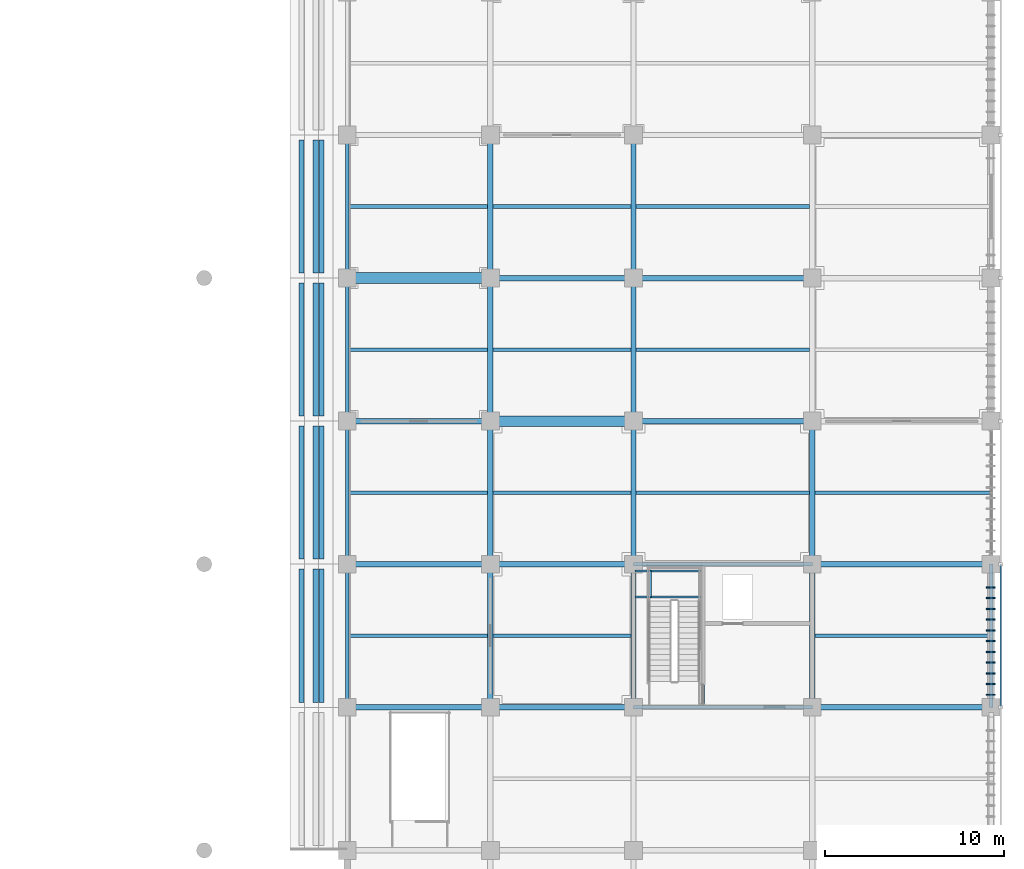
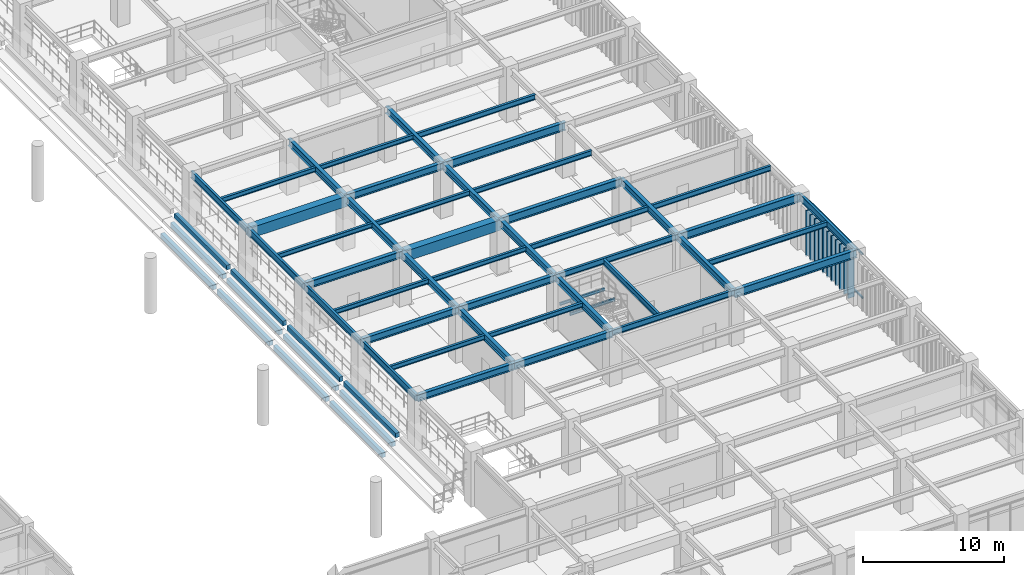
# One storey, part 37 of 117: 58 beams, 13 members.
"""IFC4 building model written with IfcOpenShell, lengths in metres."""

from ifc_helpers import new_model, si_unit, direction, frame, origin, origin_2d, place, context, subcontext, project, spatial, rectangle, hollow_rectangle, i_section, extrude, material, material_profile, profile_set, type_object, element, save


model = new_model("IFC4")

# Units and contexts
model_context = context("Model", 3, precision=1e-05, world=origin(), true_north=direction((0.0, 1.0)))
body_context = subcontext(model_context, "Body", "Model", "MODEL_VIEW")
ifc_project = project(units=[si_unit("LENGTHUNIT", "METRE"), si_unit("AREAUNIT", "SQUARE_METRE"), si_unit("VOLUMEUNIT", "CUBIC_METRE"), si_unit("PLANEANGLEUNIT", "RADIAN"), si_unit("MASSUNIT", "GRAM", prefix="KILO")], contexts=[model_context])

# Site, building, storey
site_placement = place(None, origin())
site = spatial("IfcSite", under=ifc_project, at=site_placement, CompositionType="ELEMENT")
building_placement = place(site_placement, origin())
building = spatial("IfcBuilding", under=site, at=building_placement, Name="Haebicheon Civic Stadium", CompositionType="ELEMENT")
storey_placement = place(building_placement, frame((0.0, 0.0, 4.800048828125)))
storey = spatial("IfcBuildingStorey", under=building, at=storey_placement, Name="L02", CompositionType="ELEMENT", Elevation=4.800048828125)

# Beams
ifc_material_1 = material(Name="Precast concrete C40/50", Category="concrete")
ifc_material_profile_1 = material_profile(ifc_material_1, rectangle(XDim=0.300048828125, YDim=0.39990234375, at=origin_2d()), Name="PC-LN-300x400")
ifc_profile_set_1 = profile_set([ifc_material_profile_1], Name="Precast concrete C40/50")
beam_type_1 = type_object("IfcBeamType", Name="BM-LN-300x400", PredefinedType="LINTEL", material=ifc_profile_set_1)
for number, where, z_axis, x_axis, name in (
    (1, (197.43994140625, 64.280029296875, -0.0400390625), (0.0, 1.0, 0.0), (-1.0, 0.0, 0.0), "TIER-C-L precast step carrier beam 2.7"),
    (2, (198.239990234375, 64.280029296875, 0.626953125), (0.0, 1.0, 0.0), (-1.0, 0.0, 0.0), "TIER-C-L precast step carrier beam 2.8"),
    (3, (198.56005859375, 64.280029296875, 1.29296875), (0.0, 1.0, 0.0), (-1.0, 0.0, 0.0), "TIER-C-L precast step carrier beam 2.9"),
    (4, (197.43994140625, 72.280029296875, -0.0400390625), (0.0, 1.0, 0.0), (-1.0, 0.0, 0.0), "TIER-C-L precast step carrier beam 3.7"),
    (5, (198.239990234375, 72.280029296875, 0.626953125), (0.0, 1.0, 0.0), (-1.0, 0.0, 0.0), "TIER-C-L precast step carrier beam 3.8"),
    (6, (198.56005859375, 72.280029296875, 1.29296875), (0.0, 1.0, 0.0), (-1.0, 0.0, 0.0), "TIER-C-L precast step carrier beam 3.9"),
    (7, (197.43994140625, 80.280029296875, -0.0400390625), (0.0, 1.0, 0.0), (-1.0, 0.0, 0.0), "TIER-C-L precast step carrier beam 4.7"),
    (8, (198.239990234375, 80.280029296875, 0.626953125), (0.0, 1.0, 0.0), (-1.0, 0.0, 0.0), "TIER-C-L precast step carrier beam 4.8"),
    (9, (198.56005859375, 80.280029296875, 1.29296875), (0.0, 1.0, 0.0), (-1.0, 0.0, 0.0), "TIER-C-L precast step carrier beam 4.9"),
    (10, (197.43994140625, 88.280029296875, -0.0400390625), (0.0, 1.0, 0.0), (-1.0, 0.0, 0.0), "TIER-C-L precast step carrier beam 5.7"),
    (11, (198.239990234375, 88.280029296875, 0.626953125), (0.0, 1.0, 0.0), (-1.0, 0.0, 0.0), "TIER-C-L precast step carrier beam 5.8"),
    (12, (198.56005859375, 88.280029296875, 1.29296875), (0.0, 1.0, 0.0), (-1.0, 0.0, 0.0), "TIER-C-L precast step carrier beam 5.9"),
):
    element("IfcBeam", number, at=place(storey_placement, frame(where, z_axis=z_axis, x_axis=x_axis)), inside=storey, type_object=beam_type_1, material=ifc_profile_set_1, Name=name, PredefinedType="LINTEL", context=body_context, shape_type="SweptSolid", body=[
        extrude(rectangle(XDim=0.300048828125, YDim=0.39990234375, at=origin_2d()), origin(), (0.0, 0.0, 1.0), 7.43994140625),
    ])
ifc_material_2 = material(Name="Concrete C40/50", Category="concrete")
ifc_material_profile_2 = material_profile(ifc_material_2, rectangle(XDim=0.60009765625, YDim=0.89990234375, at=origin_2d()), Name="RC-BM-600x900")
ifc_profile_set_2 = profile_set([ifc_material_profile_2], Name="Concrete C40/50")
beam_type_2 = type_object("IfcBeamType", Name="BM-RC-600x900", PredefinedType="BEAM", material=ifc_profile_set_2)
for number, where, z_axis, x_axis, name in (
    (13, (200.0, 88.0, 4.070068359375), (1.0, 0.0, 0.0), (0.0, 1.0, 0.0), "L02 beam M/26-27"),
    (14, (208.0, 80.0, 4.070068359375), (1.0, 0.0, 0.0), (0.0, 1.0, 0.0), "L02 beam L/27-28"),
):
    element("IfcBeam", number, at=place(storey_placement, frame(where, z_axis=z_axis, x_axis=x_axis)), inside=storey, type_object=beam_type_2, material=ifc_profile_set_2, Name=name, PredefinedType="BEAM", context=body_context, shape_type="SweptSolid", body=[
        extrude(rectangle(XDim=0.60009765625, YDim=0.89990234375, at=origin_2d()), origin(), (0.0, 0.0, 1.0), 8.0),
    ])
ifc_material_3 = material(Name="Steel SM355 (S355)", Category="steel")
ifc_material_profile_3 = material_profile(ifc_material_3, i_section(OverallWidth=0.199951171875, OverallDepth=0.5, WebThickness=0.010009765625, FlangeThickness=0.01611328125, at=origin_2d()), Name="H-500x200x10x16")
ifc_profile_set_3 = profile_set([ifc_material_profile_3], Name="Steel SM355 (S355)")
beam_type_3 = type_object("IfcBeamType", Name="BM-ST-H500", PredefinedType="BEAM", material=ifc_profile_set_3)
for number, where, z_axis, x_axis, name in (
    (15, (216.0, 64.0, 4.27001953125), (1.0, 0.0, 0.0), (0.0, 1.0, 0.0), "L02 beam J/28-29"),
    (16, (216.0, 72.0, 4.27001953125), (1.0, 0.0, 0.0), (0.0, 1.0, 0.0), "L02 beam K/28-29"),
):
    element("IfcBeam", number, at=place(storey_placement, frame(where, z_axis=z_axis, x_axis=x_axis)), inside=storey, type_object=beam_type_3, material=ifc_profile_set_3, Name=name, PredefinedType="BEAM", context=body_context, shape_type="SweptSolid", body=[
        extrude(i_section(OverallWidth=0.199951171875, OverallDepth=0.5, WebThickness=0.010009765625, FlangeThickness=0.01611328125, at=origin_2d()), origin(), (0.0, 0.0, 1.0), 10.0),
    ])
beam_1_placement = place(storey_placement, frame((219.8798828125, 64.10009765625, 4.27001953125), z_axis=(0.0, 1.0, 0.0), x_axis=(-1.0, 0.0, 0.0)))
element("IfcBeam", 17, at=beam_1_placement, inside=storey, type_object=beam_type_3, material=ifc_profile_set_3, Name="L02 KC-12 core dividing wall support beam", PredefinedType="BEAM", context=body_context, shape_type="SweptSolid", body=[
    extrude(i_section(OverallWidth=0.199951171875, OverallDepth=0.5, WebThickness=0.010009765625, FlangeThickness=0.01611328125, at=origin_2d()), origin(), (0.0, 0.0, 1.0), 7.7998046875),
])
ifc_material_4 = material(Name="Steel SM355 (S355)", Category="steel")
ifc_material_profile_4 = material_profile(ifc_material_4, i_section(OverallWidth=0.300048828125, OverallDepth=0.60009765625, WebThickness=0.011962890625, FlangeThickness=0.02001953125, at=origin_2d()), Name="H-600x300x12x20")
ifc_profile_set_4 = profile_set([ifc_material_profile_4], Name="Steel SM355 (S355)")
beam_type_4 = type_object("IfcBeamType", Name="BM-ST-H600A", PredefinedType="BEAM", material=ifc_profile_set_4)
for number, where, z_axis, x_axis, name in (
    (18, (208.0, 64.0, 4.219970703125), (0.0, 1.0, 0.0), (-1.0, 0.0, 0.0), "L02 girder 27/J-K"),
    (19, (208.0, 72.0, 4.219970703125), (0.0, 1.0, 0.0), (-1.0, 0.0, 0.0), "L02 girder 27/K-L"),
    (20, (208.0, 80.0, 4.219970703125), (0.0, 1.0, 0.0), (-1.0, 0.0, 0.0), "L02 girder 27/L-M"),
    (21, (208.0, 88.0, 4.219970703125), (0.0, 1.0, 0.0), (-1.0, 0.0, 0.0), "L02 girder 27/M-N"),
    (22, (216.0, 64.0, 4.219970703125), (0.0, 1.0, 0.0), (-1.0, 0.0, 0.0), "L02 girder 28/J-K"),
    (23, (216.0, 72.0, 4.219970703125), (0.0, 1.0, 0.0), (-1.0, 0.0, 0.0), "L02 girder 28/K-L"),
    (24, (216.0, 80.0, 4.219970703125), (0.0, 1.0, 0.0), (-1.0, 0.0, 0.0), "L02 girder 28/L-M"),
    (25, (216.0, 88.0, 4.219970703125), (0.0, 1.0, 0.0), (-1.0, 0.0, 0.0), "L02 girder 28/M-N"),
    (26, (226.0, 64.0, 4.219970703125), (0.0, 1.0, 0.0), (-1.0, 0.0, 0.0), "L02 girder 29/J-K"),
    (27, (226.0, 72.0, 4.219970703125), (0.0, 1.0, 0.0), (-1.0, 0.0, 0.0), "L02 girder 29/K-L"),
    (28, (200.0, 64.0, 4.219970703125), (1.0, 0.0, 0.0), (0.0, 1.0, 0.0), "L02 beam J/26-27"),
    (29, (200.0, 72.0, 4.219970703125), (1.0, 0.0, 0.0), (0.0, 1.0, 0.0), "L02 beam K/26-27"),
    (30, (200.0, 80.0, 4.219970703125), (1.0, 0.0, 0.0), (0.0, 1.0, 0.0), "L02 beam L/26-27"),
    (31, (208.0, 64.0, 4.219970703125), (1.0, 0.0, 0.0), (0.0, 1.0, 0.0), "L02 beam J/27-28"),
    (32, (208.0, 72.0, 4.219970703125), (1.0, 0.0, 0.0), (0.0, 1.0, 0.0), "L02 beam K/27-28"),
    (33, (208.0, 88.0, 4.219970703125), (1.0, 0.0, 0.0), (0.0, 1.0, 0.0), "L02 beam M/27-28"),
):
    element("IfcBeam", number, at=place(storey_placement, frame(where, z_axis=z_axis, x_axis=x_axis)), inside=storey, type_object=beam_type_4, material=ifc_profile_set_4, Name=name, PredefinedType="BEAM", context=body_context, shape_type="SweptSolid", body=[
        extrude(i_section(OverallWidth=0.300048828125, OverallDepth=0.60009765625, WebThickness=0.011962890625, FlangeThickness=0.02001953125, at=origin_2d()), origin(), (0.0, 0.0, 1.0), 8.0),
    ])
ifc_material_5 = material(Name="Steel SM490", Category="steel")
ifc_material_profile_5 = material_profile(ifc_material_5, i_section(OverallWidth=0.300048828125, OverallDepth=0.699951171875, WebThickness=0.012939453125, FlangeThickness=0.02392578125, at=origin_2d()), Name="H-700x300x13x24")
ifc_profile_set_5 = profile_set([ifc_material_profile_5], Name="Steel SM490")
beam_type_5 = type_object("IfcBeamType", Name="BM-ST-H700", PredefinedType="BEAM", material=ifc_profile_set_5)
for number, where, z_axis, x_axis, name in (
    (34, (216.0, 80.0, 4.169921875), (1.0, 0.0, 0.0), (0.0, 1.0, 0.0), "L02 beam L/28-29"),
    (35, (216.0, 88.0, 4.169921875), (1.0, 0.0, 0.0), (0.0, 1.0, 0.0), "L02 beam M/28-29"),
    (36, (226.0, 64.0, 4.169921875), (1.0, 0.0, 0.0), (0.0, 1.0, 0.0), "L02 beam J/29-30"),
    (37, (226.0, 72.0, 4.169921875), (1.0, 0.0, 0.0), (0.0, 1.0, 0.0), "L02 beam K/29-30"),
):
    element("IfcBeam", number, at=place(storey_placement, frame(where, z_axis=z_axis, x_axis=x_axis)), inside=storey, type_object=beam_type_5, material=ifc_profile_set_5, Name=name, PredefinedType="BEAM", context=body_context, shape_type="SweptSolid", body=[
        extrude(i_section(OverallWidth=0.300048828125, OverallDepth=0.699951171875, WebThickness=0.012939453125, FlangeThickness=0.02392578125, at=origin_2d()), origin(), (0.0, 0.0, 1.0), 10.0),
    ])
ifc_material_6 = material(Name="Steel SM355 (S355)", Category="steel")
ifc_material_profile_6 = material_profile(ifc_material_6, i_section(OverallWidth=0.125, OverallDepth=0.25, WebThickness=0.006103515625, FlangeThickness=0.009033203125, at=origin_2d()), Name="H-250x125x6x9")
ifc_profile_set_6 = profile_set([ifc_material_profile_6], Name="Steel SM355 (S355)")
beam_type_6 = type_object("IfcBeamType", Name="JST-ST-H250", PredefinedType="JOIST", material=ifc_profile_set_6)
for number, where, z_axis, x_axis, name in (
    (38, (216.080078125, 70.169921875, 2.072021484375), (1.0, 0.0, 0.0), (0.0, 1.0, 0.0), "KC-12 L02 stair half-landing front trimmer beam"),
    (39, (216.080078125, 71.6201171875, 2.072021484375), (1.0, 0.0, 0.0), (0.0, 1.0, 0.0), "KC-12 L02 stair half-landing rear trimmer beam"),
):
    element("IfcBeam", number, at=place(storey_placement, frame(where, z_axis=z_axis, x_axis=x_axis)), inside=storey, type_object=beam_type_6, material=ifc_profile_set_6, Name=name, PredefinedType="JOIST", context=body_context, shape_type="SweptSolid", body=[
        extrude(i_section(OverallWidth=0.125, OverallDepth=0.25, WebThickness=0.006103515625, FlangeThickness=0.009033203125, at=origin_2d()), origin(), (0.0, 0.0, 1.0), 3.719970703125),
    ])
beam_2_placement = place(storey_placement, frame((216.9599609375, 70.169921875, 2.072021484375), z_axis=(0.0, 1.0, 0.0), x_axis=(-1.0, 0.0, 0.0)))
element("IfcBeam", 40, at=beam_2_placement, inside=storey, type_object=beam_type_6, material=ifc_profile_set_6, Name="KC-12 L02 stair half-landing transverse tie beam", PredefinedType="JOIST", context=body_context, shape_type="SweptSolid", body=[
    extrude(i_section(OverallWidth=0.125, OverallDepth=0.25, WebThickness=0.006103515625, FlangeThickness=0.009033203125, at=origin_2d()), origin(), (0.0, 0.0, 1.0), 1.4501953125),
])
ifc_material_7 = material(Name="Steel SM355 (S355)", Category="steel")
ifc_material_profile_7 = material_profile(ifc_material_7, i_section(OverallWidth=0.199951171875, OverallDepth=0.39990234375, WebThickness=0.008056640625, FlangeThickness=0.012939453125, at=origin_2d()), Name="H-400x200x8x13")
ifc_profile_set_7 = profile_set([ifc_material_profile_7], Name="Steel SM355 (S355)")
beam_type_7 = type_object("IfcBeamType", Name="JST-ST-H400", PredefinedType="JOIST", material=ifc_profile_set_7)
for number, where, z_axis, x_axis, name in (
    (41, (200.10009765625, 68.0, 4.320068359375), (1.0, 0.0, 0.0), (0.0, 1.0, 0.0), "L02 secondary joist 25-08"),
    (42, (200.10009765625, 76.0, 4.320068359375), (1.0, 0.0, 0.0), (0.0, 1.0, 0.0), "L02 secondary joist 25-09"),
    (43, (200.10009765625, 84.0, 4.320068359375), (1.0, 0.0, 0.0), (0.0, 1.0, 0.0), "L02 secondary joist 25-10"),
    (44, (200.10009765625, 92.0, 4.320068359375), (1.0, 0.0, 0.0), (0.0, 1.0, 0.0), "L02 secondary joist 25-11"),
):
    element("IfcBeam", number, at=place(storey_placement, frame(where, z_axis=z_axis, x_axis=x_axis)), inside=storey, type_object=beam_type_7, material=ifc_profile_set_7, Name=name, PredefinedType="JOIST", context=body_context, shape_type="SweptSolid", body=[
        extrude(i_section(OverallWidth=0.199951171875, OverallDepth=0.39990234375, WebThickness=0.008056640625, FlangeThickness=0.012939453125, at=origin_2d()), origin(), (0.0, 0.0, 1.0), 7.75),
    ])
for number, where, z_axis, x_axis, name in (
    (45, (208.14990234375, 68.0, 4.320068359375), (1.0, 0.0, 0.0), (0.0, 1.0, 0.0), "L02 secondary joist 26-08"),
    (46, (208.14990234375, 76.0, 4.320068359375), (1.0, 0.0, 0.0), (0.0, 1.0, 0.0), "L02 secondary joist 26-09"),
    (47, (208.14990234375, 84.0, 4.320068359375), (1.0, 0.0, 0.0), (0.0, 1.0, 0.0), "L02 secondary joist 26-10"),
    (48, (208.14990234375, 92.0, 4.320068359375), (1.0, 0.0, 0.0), (0.0, 1.0, 0.0), "L02 secondary joist 26-11"),
):
    element("IfcBeam", number, at=place(storey_placement, frame(where, z_axis=z_axis, x_axis=x_axis)), inside=storey, type_object=beam_type_7, material=ifc_profile_set_7, Name=name, PredefinedType="JOIST", context=body_context, shape_type="SweptSolid", body=[
        extrude(i_section(OverallWidth=0.199951171875, OverallDepth=0.39990234375, WebThickness=0.008056640625, FlangeThickness=0.012939453125, at=origin_2d()), origin(), (0.0, 0.0, 1.0), 7.7001953125),
    ])
ifc_material_8 = material(Name="Steel SM355 (S355)", Category="steel")
ifc_material_profile_8 = material_profile(ifc_material_8, i_section(OverallWidth=0.199951171875, OverallDepth=0.449951171875, WebThickness=0.009033203125, FlangeThickness=0.013916015625, at=origin_2d()), Name="H-450x200x9x14")
ifc_profile_set_8 = profile_set([ifc_material_profile_8], Name="Steel SM355 (S355)")
beam_type_8 = type_object("IfcBeamType", Name="JST-ST-H450", PredefinedType="JOIST", material=ifc_profile_set_8)
for number, where, z_axis, x_axis, name in (
    (49, (216.14990234375, 76.0, 4.294921875), (1.0, 0.0, 0.0), (0.0, 1.0, 0.0), "L02 secondary joist 27-09"),
    (50, (216.14990234375, 84.0, 4.294921875), (1.0, 0.0, 0.0), (0.0, 1.0, 0.0), "L02 secondary joist 27-10"),
    (51, (216.14990234375, 92.0, 4.294921875), (1.0, 0.0, 0.0), (0.0, 1.0, 0.0), "L02 secondary joist 27-11"),
):
    element("IfcBeam", number, at=place(storey_placement, frame(where, z_axis=z_axis, x_axis=x_axis)), inside=storey, type_object=beam_type_8, material=ifc_profile_set_8, Name=name, PredefinedType="JOIST", context=body_context, shape_type="SweptSolid", body=[
        extrude(i_section(OverallWidth=0.199951171875, OverallDepth=0.449951171875, WebThickness=0.009033203125, FlangeThickness=0.013916015625, at=origin_2d()), origin(), (0.0, 0.0, 1.0), 9.7001953125),
    ])
for number, where, z_axis, x_axis, name in (
    (52, (226.14990234375, 68.0, 4.294921875), (1.0, 0.0, 0.0), (0.0, 1.0, 0.0), "L02 secondary joist 28-08"),
    (53, (226.14990234375, 76.0, 4.294921875), (1.0, 0.0, 0.0), (0.0, 1.0, 0.0), "L02 secondary joist 28-09"),
):
    element("IfcBeam", number, at=place(storey_placement, frame(where, z_axis=z_axis, x_axis=x_axis)), inside=storey, type_object=beam_type_8, material=ifc_profile_set_8, Name=name, PredefinedType="JOIST", context=body_context, shape_type="SweptSolid", body=[
        extrude(i_section(OverallWidth=0.199951171875, OverallDepth=0.449951171875, WebThickness=0.009033203125, FlangeThickness=0.013916015625, at=origin_2d()), origin(), (0.0, 0.0, 1.0), 9.75),
    ])

# Members
ifc_material_9 = material(Name="Acetylated timber GL28h", Category="wood")
ifc_material_profile_9 = material_profile(ifc_material_9, rectangle(XDim=0.080078125, YDim=0.52001953125, at=origin_2d()), Name="TMB-LOUV-80x520")
ifc_profile_set_9 = profile_set([ifc_material_profile_9], Name="Acetylated timber GL28h")
member_type_1 = type_object("IfcMemberType", Name="LVR-TIM-520x80", PredefinedType="PLATE", material=ifc_profile_set_9)
for number, where, z_axis, x_axis, name in (
    (54, (235.97998046875, 64.699951171875, -0.1201171875), (0.0, 0.0, 1.0), (0.0, 1.0, 0.0), "SCR-COMM L02 acetylated timber storm louvre fin 3.1"),
    (55, (235.97998046875, 65.300048828125, -0.1201171875), (0.0, 0.0, 1.0), (0.0, 1.0, 0.0), "SCR-COMM L02 acetylated timber storm louvre fin 3.2"),
    (56, (235.97998046875, 65.89990234375, -0.1201171875), (0.0, 0.0, 1.0), (0.0, 1.0, 0.0), "SCR-COMM L02 acetylated timber storm louvre fin 3.3"),
    (57, (235.97998046875, 66.5, -0.1201171875), (0.0, 0.0, 1.0), (0.0, 1.0, 0.0), "SCR-COMM L02 acetylated timber storm louvre fin 3.4"),
    (58, (235.97998046875, 67.10009765625, -0.1201171875), (0.0, 0.0, 1.0), (0.0, 1.0, 0.0), "SCR-COMM L02 acetylated timber storm louvre fin 3.5"),
    (59, (235.97998046875, 67.699951171875, -0.1201171875), (0.0, 0.0, 1.0), (0.0, 1.0, 0.0), "SCR-COMM L02 acetylated timber storm louvre fin 3.6"),
    (60, (235.97998046875, 68.300048828125, -0.1201171875), (0.0, 0.0, 1.0), (0.0, 1.0, 0.0), "SCR-COMM L02 acetylated timber storm louvre fin 3.7"),
    (61, (235.97998046875, 68.89990234375, -0.1201171875), (0.0, 0.0, 1.0), (0.0, 1.0, 0.0), "SCR-COMM L02 acetylated timber storm louvre fin 3.8"),
    (62, (235.97998046875, 69.5, -0.1201171875), (0.0, 0.0, 1.0), (0.0, 1.0, 0.0), "SCR-COMM L02 acetylated timber storm louvre fin 3.9"),
    (63, (235.97998046875, 70.10009765625, -0.1201171875), (0.0, 0.0, 1.0), (0.0, 1.0, 0.0), "SCR-COMM L02 acetylated timber storm louvre fin 3.10"),
    (64, (235.97998046875, 70.699951171875, -0.1201171875), (0.0, 0.0, 1.0), (0.0, 1.0, 0.0), "SCR-COMM L02 acetylated timber storm louvre fin 3.11"),
):
    element("IfcMember", number, at=place(storey_placement, frame(where, z_axis=z_axis, x_axis=x_axis)), inside=storey, type_object=member_type_1, material=ifc_profile_set_9, Name=name, PredefinedType="PLATE", context=body_context, shape_type="SweptSolid", body=[
        extrude(rectangle(XDim=0.080078125, YDim=0.52001953125, at=origin_2d()), origin(), (0.0, 0.0, 1.0), 3.969970703125),
    ])

# Beams
ifc_material_10 = material(Name="Steel SM355 (S355)", Category="steel")
ifc_material_profile_10 = material_profile(ifc_material_10, i_section(OverallWidth=0.199951171875, OverallDepth=0.60009765625, WebThickness=0.010986328125, FlangeThickness=0.01708984375, at=origin_2d()), Name="H-600x200x11x17")
ifc_profile_set_10 = profile_set([ifc_material_profile_10], Name="Steel SM355 (S355)")
beam_type_9 = type_object("IfcBeamType", Name="SPD-ST-H600B", PredefinedType="SPANDREL", material=ifc_profile_set_10)
for number, where, z_axis, x_axis, name in (
    (65, (200.0, 64.0, 4.219970703125), (0.0, 1.0, 0.0), (-1.0, 0.0, 0.0), "L02 girder 26/J-K"),
    (66, (200.0, 72.0, 4.219970703125), (0.0, 1.0, 0.0), (-1.0, 0.0, 0.0), "L02 girder 26/K-L"),
    (67, (200.0, 80.0, 4.219970703125), (0.0, 1.0, 0.0), (-1.0, 0.0, 0.0), "L02 girder 26/L-M"),
    (68, (200.0, 88.0, 4.219970703125), (0.0, 1.0, 0.0), (-1.0, 0.0, 0.0), "L02 girder 26/M-N"),
    (69, (236.0, 64.0, 4.219970703125), (0.0, 1.0, 0.0), (-1.0, 0.0, 0.0), "L02 girder 30/J-K"),
):
    element("IfcBeam", number, at=place(storey_placement, frame(where, z_axis=z_axis, x_axis=x_axis)), inside=storey, type_object=beam_type_9, material=ifc_profile_set_10, Name=name, PredefinedType="SPANDREL", context=body_context, shape_type="SweptSolid", body=[
        extrude(i_section(OverallWidth=0.199951171875, OverallDepth=0.60009765625, WebThickness=0.010986328125, FlangeThickness=0.01708984375, at=origin_2d()), origin(), (0.0, 0.0, 1.0), 8.0),
    ])

# Members
ifc_material_11 = material(Name="Steel SM355 (S355)", Category="steel")
ifc_material_profile_11 = material_profile(ifc_material_11, hollow_rectangle(XDim=0.10009765625, YDim=0.14990234375, WallThickness=0.006103515625, at=origin_2d()), Name="RHS-150x100x6.0")
ifc_profile_set_11 = profile_set([ifc_material_profile_11], Name="Steel SM355 (S355)")
member_type_2 = type_object("IfcMemberType", Name="SUB-RHS150", PredefinedType="STRINGER", material=ifc_profile_set_11)
for number, where, z_axis, x_axis, name in (
    (70, (236.5400390625, 64.0, 0.06005859375), (0.0, 1.0, 0.0), (-1.0, 0.0, 0.0), "SCR-COMM L02 storm-louvre bottom carrier rail 3"),
    (71, (236.5400390625, 64.0, 3.849853515625), (0.0, 1.0, 0.0), (-1.0, 0.0, 0.0), "SCR-COMM L02 storm-louvre top carrier rail 3"),
):
    element("IfcMember", number, at=place(storey_placement, frame(where, z_axis=z_axis, x_axis=x_axis)), inside=storey, type_object=member_type_2, material=ifc_profile_set_11, Name=name, PredefinedType="STRINGER", context=body_context, shape_type="SweptSolid", body=[
        extrude(hollow_rectangle(XDim=0.10009765625, YDim=0.14990234375, WallThickness=0.006103515625, at=origin_2d()), origin(), (0.0, 0.0, 1.0), 8.0),
    ])

save(model, "model.ifc")
